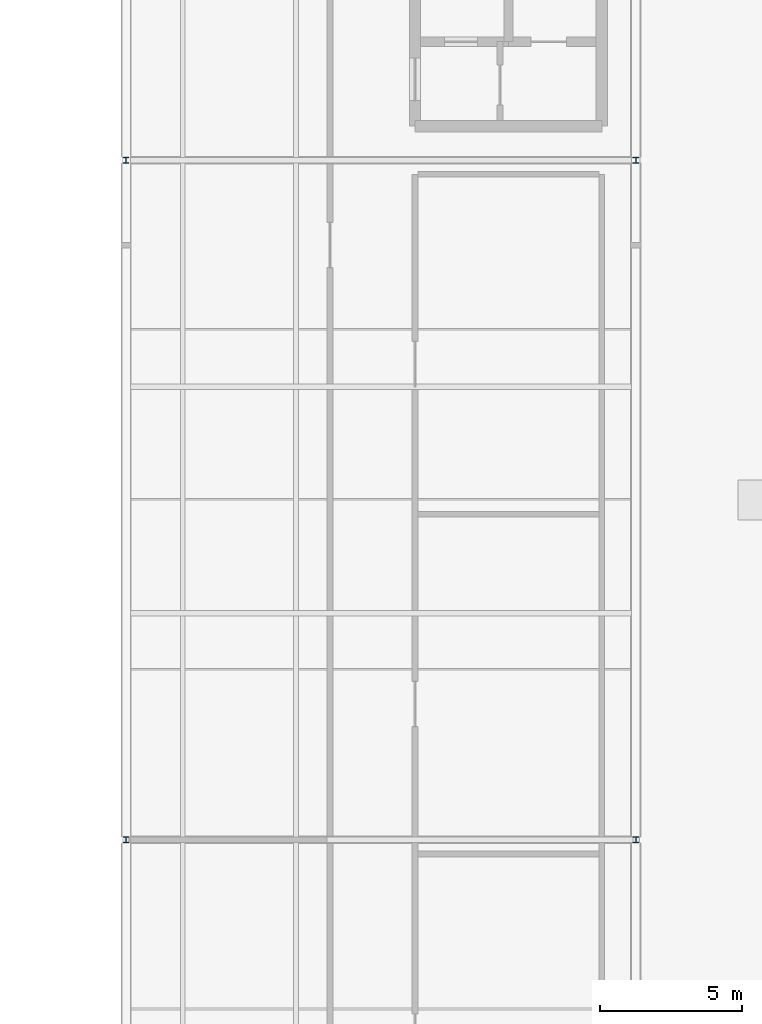
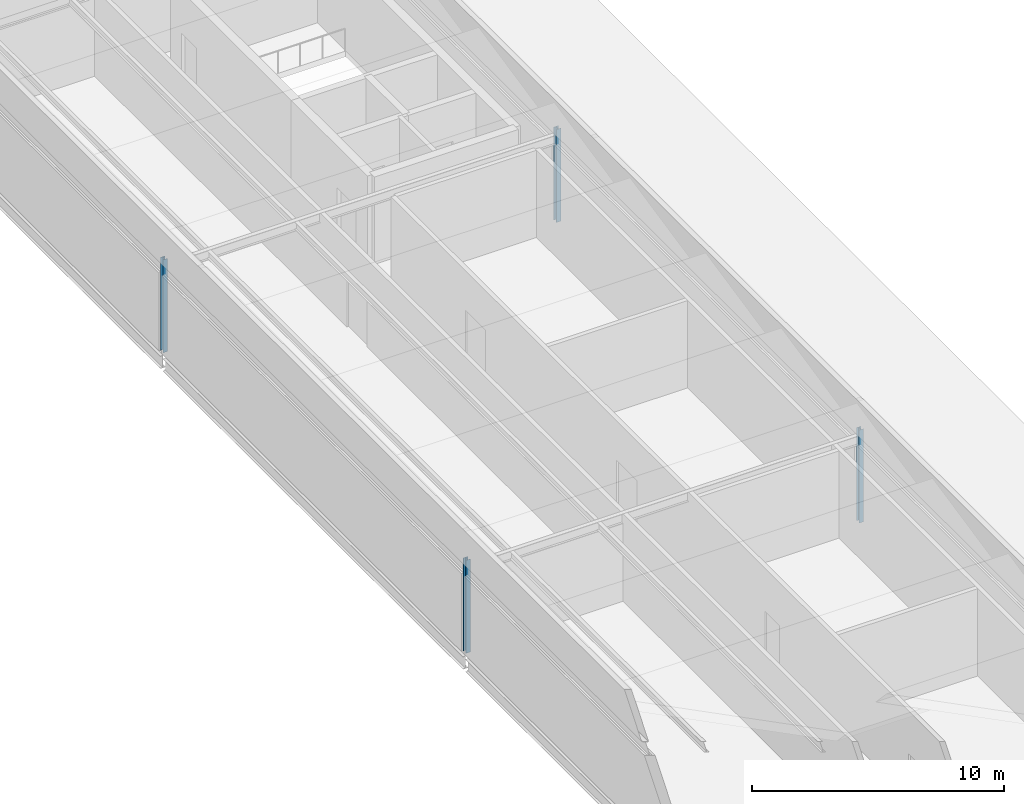
# One storey, part 5 of 13: 4 columns.
"""IFC4 building model written with IfcOpenShell, lengths in metres."""

from ifc_helpers import new_model, si_unit, direction, frame, origin, origin_2d, place, context, subcontext, project, spatial, i_section, extrude, material, material_profile, profile_set, type_object, element, save


model = new_model("IFC4")

# Units and contexts
model_context = context("Model", 3, precision=1e-05, world=origin(), true_north=direction((0.0, 1.0)))
body_context = subcontext(model_context, "Body", "Model", "MODEL_VIEW")
ifc_project = project(units=[si_unit("LENGTHUNIT", "METRE"), si_unit("AREAUNIT", "SQUARE_METRE"), si_unit("VOLUMEUNIT", "CUBIC_METRE"), si_unit("PLANEANGLEUNIT", "RADIAN"), si_unit("MASSUNIT", "GRAM", prefix="KILO")], contexts=[model_context])

# Site, building, storey
site_placement = place(None, origin())
site = spatial("IfcSite", under=ifc_project, at=site_placement, CompositionType="ELEMENT")
building_placement = place(site_placement, origin())
building = spatial("IfcBuilding", under=site, at=building_placement, Name="Kisiwana Market Hall", CompositionType="ELEMENT")
storey_placement = place(building_placement, frame((0.0, 0.0, 69.89990234375)))
storey = spatial("IfcBuildingStorey", under=building, at=storey_placement, Name="L16", CompositionType="ELEMENT", Elevation=69.89990234375)

# Columns
ifc_material = material(Name="Steel S355", Category="steel")
ifc_material_profile = material_profile(ifc_material, i_section(OverallWidth=0.205810546875, OverallDepth=0.209716796875, WebThickness=0.009521484375, FlangeThickness=0.01416015625, FilletRadius=0.01025390625, at=origin_2d()), Name="UC 203x203x60")
ifc_profile_set = profile_set([ifc_material_profile], Name="Steel S355")
column_type = type_object("IfcColumnType", Name="COL-STL-UC060", PredefinedType="COLUMN", material=ifc_profile_set)
for number, where, z_axis, x_axis, name in (
    (1, (171.0, 60.0, 0.0), (0.0, 0.0, 1.0), (1.0, 0.0, 0.0), "Column H/20 (L16) C-1521"),
    (2, (171.0, 84.0, 0.0), (0.0, 0.0, 1.0), (1.0, 0.0, 0.0), "Column L/20 (L16) C-1522"),
    (3, (189.0, 84.0, 0.0), (0.0, 0.0, 1.0), (1.0, 0.0, 0.0), "Column L/22 (L16) C-1526"),
    (4, (189.0, 60.0, 0.0), (0.0, 0.0, 1.0), (1.0, 0.0, 0.0), "Column H/22 (L16) C-1509"),
):
    element("IfcColumn", number, at=place(storey_placement, frame(where, z_axis=z_axis, x_axis=x_axis)), inside=storey, type_object=column_type, Name=name, PredefinedType="COLUMN", context=body_context, shape_type="SweptSolid", body=[
        extrude(i_section(OverallWidth=0.205810546875, OverallDepth=0.209716796875, WebThickness=0.009521484375, FlangeThickness=0.01416015625, FilletRadius=0.01025390625, at=origin_2d()), origin(), (0.0, 0.0, 1.0), 4.5),
    ])

save(model, "model.ifc")
